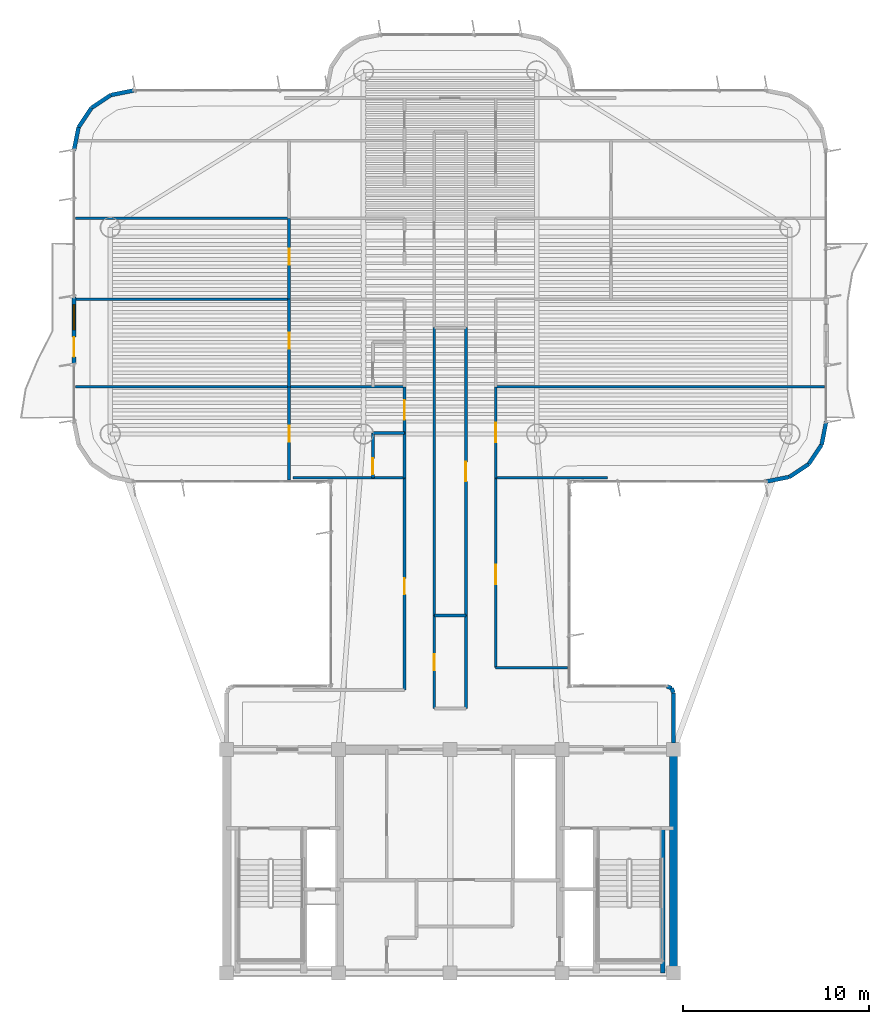
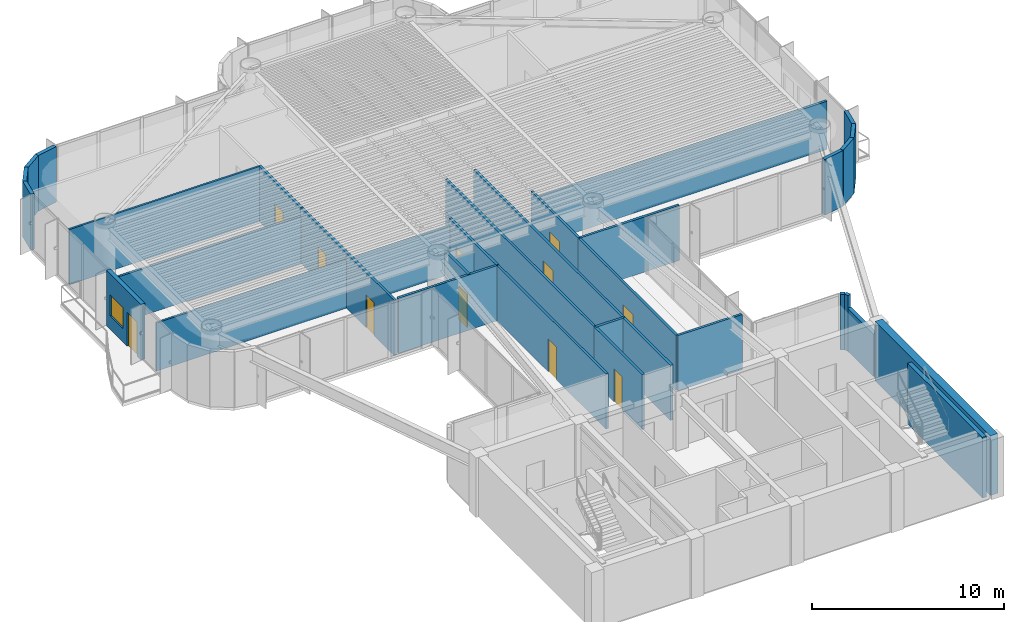
# One storey, part 10 of 14: 37 walls, 11 doors, 1 window, 12 openings.
"""IFC4 building model written with IfcOpenShell, lengths in metres."""

from ifc_helpers import new_model, si_unit, direction, frame, frame_2d, origin, origin_2d, place, context, subcontext, project, spatial, rectangle, extrude, source, transform, mapped, material, layer, layer_set, type_object, element, fill, save


model = new_model("IFC4")

# Units and contexts
model_context = context("Model", 3, precision=1e-05, world=origin(), true_north=direction((0.0, 1.0)))
body_context = subcontext(model_context, "Body", "Model", "MODEL_VIEW")
ifc_project = project(units=[si_unit("LENGTHUNIT", "METRE"), si_unit("AREAUNIT", "SQUARE_METRE"), si_unit("VOLUMEUNIT", "CUBIC_METRE"), si_unit("PLANEANGLEUNIT", "RADIAN"), si_unit("MASSUNIT", "GRAM", prefix="KILO")], contexts=[model_context])

# Site, building, storey
site_placement = place(None, origin())
site = spatial("IfcSite", under=ifc_project, at=site_placement, CompositionType="ELEMENT")
building_placement = place(site_placement, origin())
building = spatial("IfcBuilding", under=site, at=building_placement, Name="Brelvock Crest Care Tower", CompositionType="ELEMENT")
storey_placement = place(building_placement, frame((0.0, 0.0, 201.780029296875)))
storey = spatial("IfcBuildingStorey", under=building, at=storey_placement, Name="L51", CompositionType="ELEMENT", Elevation=201.780029296875)

# Walls
ifc_material_1 = material(Name="Concrete S65 (65 MPa)", Category="concrete")
ifc_layer_1 = layer(ifc_material_1, 0.449951171875, Name="WL-CS3")
ifc_layer_set_1 = layer_set([ifc_layer_1], Name="Concrete S65 (65 MPa)")
wall_type_1 = type_object("IfcWallType", Name="WL-CS3", PredefinedType="SHEAR", material=ifc_layer_set_1)
wall_1_placement = place(storey_placement, frame((48.0, 18.0, 0.0), z_axis=(0.0, 0.0, 1.0), x_axis=(0.0, -1.0, 0.0)))
element("IfcWall", 1, at=wall_1_placement, inside=storey, type_object=wall_type_1, Name="L51 Core East Shear Wall", PredefinedType="SHEAR", context=body_context, shape_type="SweptSolid", body=[
    extrude(rectangle(XDim=12.0, YDim=0.449951171875, at=frame_2d((6.0, 0.0))), origin(), (0.0, 0.0, 1.0), 3.780029296875),
])
ifc_material_2 = material(Name="Concrete S80 (80 MPa)", Category="concrete")
ifc_layer_2 = layer(ifc_material_2, 0.25, Name="WL-CS6")
ifc_layer_set_2 = layer_set([ifc_layer_2], Name="Concrete S80 (80 MPa)")
wall_type_2 = type_object("IfcWallType", Name="WL-CS6", PredefinedType="SHEAR", material=ifc_layer_set_2)
wall_2_placement = place(storey_placement, frame((47.419921875, 6.0, 0.0), z_axis=(0.0, 0.0, 1.0), x_axis=(0.0, 1.0, 0.0)))
element("IfcWall", 2, at=wall_2_placement, inside=storey, type_object=wall_type_2, Name="L51 Core Stair ST-2 East Shear Wall", PredefinedType="SHEAR", context=body_context, shape_type="SweptSolid", body=[
    extrude(rectangle(XDim=7.780029296875, YDim=0.25, at=frame_2d((3.89013671875, 0.0))), origin(), (0.0, 0.0, 1.0), 3.849853515625),
])

# Wall, openings, door, window
ifc_material_3 = material(Name="Precast concrete N40 (40 MPa)", Category="concrete")
ifc_layer_3 = layer(ifc_material_3, 0.239990234375, Name="WL-EX1")
ifc_layer_set_3 = layer_set([ifc_layer_3], Name="Precast concrete N40 (40 MPa)")
wall_type_3 = type_object("IfcWallType", Name="WL-EX1", PredefinedType="SOLIDWALL", material=ifc_layer_set_3)
wall_3_placement = place(storey_placement, frame((15.800048828125, 38.699951171875, 0.0), z_axis=(0.0, 0.0, 1.0), x_axis=(0.0, 1.0, 0.0)))
wall_3 = element("IfcWall", 3, at=wall_3_placement, inside=storey, type_object=wall_type_3, Name="L51 Exterior Spandrel Wall WL-BAL-L51-W", PredefinedType="SOLIDWALL", context=body_context, shape_type="SweptSolid", body=[
    extrude(rectangle(XDim=3.60009765625, YDim=0.239990234375, at=frame_2d((1.800048828125, 0.0))), origin(), (0.0, 0.0, 1.0), 3.530029296875),
])
opening_1_placement = place(wall_3_placement, frame((0.39990234375, 0.0, 0.0)))
opening_1 = element("IfcOpeningElement", 4, at=opening_1_placement, cuts=wall_3, Name="Opening BD-1", PredefinedType="OPENING", context=body_context, shape_type="SweptSolid", body=[
    extrude(rectangle(XDim=1.050048828125, YDim=2.14990234375, at=origin_2d()), frame((0.52490234375, 0.1298828125, 1.074951171875), z_axis=(0.0, -1.0, 0.0), x_axis=(1.0, 0.0, 0.0)), (0.0, 0.0, 1.0), 0.260009765625),
])
opening_2_placement = place(wall_3_placement, frame((1.85009765625, 0.0, 0.85009765625)))
opening_2 = element("IfcOpeningElement", 5, at=opening_2_placement, cuts=wall_3, Name="Opening W-01", PredefinedType="OPENING", context=body_context, shape_type="SweptSolid", body=[
    extrude(rectangle(XDim=1.35009765625, YDim=1.35009765625, at=origin_2d()), frame((0.675048828125, 0.1298828125, 0.675048828125), z_axis=(0.0, -1.0, 0.0), x_axis=(1.0, 0.0, 0.0)), (0.0, 0.0, 1.0), 0.260009765625),
])
ifc_material_4 = material(Name="Dark Glass Double Glazed Low-E", Category="glass")
door_type_1 = type_object("IfcDoorType", Name="DR-BAL1", OperationType="NOTDEFINED", PredefinedType="DOOR", material=ifc_material_4)
shared_shape_1 = source(origin(), body_context, "Body", "SweptSolid", [
    extrude(rectangle(XDim=1.050048828125, YDim=2.14990234375, at=origin_2d()), frame((0.52490234375, 0.02490234375, 1.074951171875), z_axis=(0.0, -1.0, 0.0), x_axis=(1.0, 0.0, 0.0)), (0.0, 0.0, 1.0), 0.050048828125),
])
door_1_placement = place(opening_1_placement, origin())
door_1 = element("IfcDoor", 6, at=door_1_placement, inside=storey, type_object=door_type_1, Name="L51 W Wave Balcony Glazed Door", OperationType="SINGLE_SWING_LEFT", OverallHeight=2.14990234375, OverallWidth=1.050048828125, PredefinedType="DOOR", context=body_context, shape_type="MappedRepresentation", body=[
    mapped(shared_shape_1, transform((0.0, 0.0, 0.0), x_axis=(1.0, 0.0, 0.0), y_axis=(0.0, 1.0, 0.0), z_axis=(0.0, 0.0, 1.0), scale=1.0)),
])
fill(opening_1, door_1)
window_type = type_object("IfcWindowType", Name="WN-EX1", PartitioningType="SINGLE_PANEL", PredefinedType="WINDOW", material=ifc_material_4)
shared_shape_2 = source(origin(), body_context, "Body", "SweptSolid", [
    extrude(rectangle(XDim=1.35009765625, YDim=1.35009765625, at=origin_2d()), frame((0.675048828125, 0.030029296875, 0.675048828125), z_axis=(0.0, -1.0, 0.0), x_axis=(1.0, 0.0, 0.0)), (0.0, 0.0, 1.0), 0.06005859375),
])
window_placement = place(opening_2_placement, origin())
window = element("IfcWindow", 7, at=window_placement, inside=storey, type_object=window_type, Name="L51 W Suite Casement Window", OverallHeight=1.35009765625, OverallWidth=1.35009765625, PartitioningType="SINGLE_PANEL", PredefinedType="WINDOW", context=body_context, shape_type="MappedRepresentation", body=[
    mapped(shared_shape_2, transform((0.0, 0.0, 0.0), x_axis=(1.0, 0.0, 0.0), y_axis=(0.0, 1.0, 0.0), z_axis=(0.0, 0.0, 1.0), scale=1.0)),
])
fill(opening_2, window)

# Walls
ifc_layer_4 = layer(ifc_material_3, 0.215087890625, Name="WL-EX2")
ifc_layer_set_4 = layer_set([ifc_layer_4], Name="Precast concrete N40 (40 MPa)")
wall_type_4 = type_object("IfcWallType", Name="WL-EX2", PredefinedType="SOLIDWALL", material=ifc_layer_set_4)
wall_4_placement = place(storey_placement, frame((47.8974609375, 21.297607421875, 0.0), z_axis=(0.0, 0.0, 1.0), x_axis=(0.382673670509, -0.923883575944, 0.0)))
element("IfcWall", 8, at=wall_4_placement, inside=storey, type_object=wall_type_4, Name="L51 Rounded Corner Wall 00", PredefinedType="SOLIDWALL", context=body_context, shape_type="SweptSolid", body=[
    extrude(rectangle(XDim=0.26806640625, YDim=0.215087890625, at=frame_2d((0.134033203125, 0.0))), origin(), (0.0, 0.0, 1.0), 3.530029296875),
])
wall_5_placement = place(storey_placement, frame((48.0, 21.050048828125, 0.0), z_axis=(0.0, 0.0, 1.0), x_axis=(0.0, -1.0, 0.0)))
element("IfcWall", 9, at=wall_5_placement, inside=storey, type_object=wall_type_4, Name="L51 Rounded Corner Wall 01", PredefinedType="SOLIDWALL", context=body_context, shape_type="SweptSolid", body=[
    extrude(rectangle(XDim=2.695068359375, YDim=0.215087890625, at=frame_2d((1.34765625, 0.0))), origin(), (0.0, 0.0, 1.0), 2.718017578125),
])
for number, where, z_axis, x_axis, name in (
    (10, (15.800048828125, 50.199951171875, 0.0), (0.0, 0.0, 1.0), (0.195138390419, 0.980775717779, 0.0), "L51 Rounded Corner Wall 18"),
    (11, (16.043701171875, 51.424560546875, 0.0), (0.0, 0.0, 1.0), (0.555557312883, 0.831478245117, 0.0), "L51 Rounded Corner Wall 19"),
    (12, (16.7373046875, 52.462646484375, 0.0), (0.0, 0.0, 1.0), (0.831387912822, 0.555692485475, 0.0), "L51 Rounded Corner Wall 20"),
    (13, (17.775390625, 53.156494140625, 0.0), (0.0, 0.0, 1.0), (0.980813122964, 0.194950295773, 0.0), "L51 Rounded Corner Wall 21"),
    (14, (56.199951171875, 35.60009765625, 0.0), (0.0, 0.0, 1.0), (-0.195138390419, -0.980775717779, 0.0), "L51 Rounded Corner Wall 40"),
    (15, (55.956298828125, 34.37548828125, 0.0), (0.0, 0.0, 1.0), (-0.555557312883, -0.831478245117, 0.0), "L51 Rounded Corner Wall 41"),
    (16, (55.2626953125, 33.33740234375, 0.0), (0.0, 0.0, 1.0), (-0.831387912822, -0.555692485475, 0.0), "L51 Rounded Corner Wall 42"),
    (17, (54.224609375, 32.6435546875, 0.0), (0.0, 0.0, 1.0), (-0.980775717779, -0.195138390419, 0.0), "L51 Rounded Corner Wall 43"),
):
    element("IfcWall", number, at=place(storey_placement, frame(where, z_axis=z_axis, x_axis=x_axis)), inside=storey, type_object=wall_type_4, Name=name, PredefinedType="SOLIDWALL", context=body_context, shape_type="SweptSolid", body=[
        extrude(rectangle(XDim=1.24853515625, YDim=0.215087890625, at=frame_2d((0.624267578125, 0.0))), origin(), (0.0, 0.0, 1.0), 3.530029296875),
    ])
wall_6_placement = place(storey_placement, frame((47.64990234375, 21.39990234375, 0.0), z_axis=(0.0, 0.0, 1.0), x_axis=(0.924205486139, -0.381895560841, 0.0)))
element("IfcWall", 18, at=wall_6_placement, inside=storey, type_object=wall_type_4, Name="L51 Rounded Corner Wall 47", PredefinedType="SOLIDWALL", context=body_context, shape_type="SweptSolid", body=[
    extrude(rectangle(XDim=0.267822265625, YDim=0.215087890625, at=frame_2d((0.1337890625, 0.0))), origin(), (0.0, 0.0, 1.0), 3.530029296875),
])
ifc_material_5 = material(Name="Masonry Blockwork Acoustic Partition", Category="masonry")
ifc_layer_5 = layer(ifc_material_5, 0.14990234375, Name="WL-INT1")
ifc_layer_set_5 = layer_set([ifc_layer_5], Name="Masonry Blockwork Acoustic Partition")
wall_type_5 = type_object("IfcWallType", Name="WL-INT1", PredefinedType="PARTITIONING", material=ifc_layer_set_5)
wall_7_placement = place(storey_placement, frame((38.449951171875, 22.39990234375, 0.0), z_axis=(0.0, 0.0, 1.0), x_axis=(1.0, 0.0, 0.0)))
element("IfcWall", 19, at=wall_7_placement, inside=storey, type_object=wall_type_5, Name="L51 Interior Wall WL-BX-L51-THRE-S", PredefinedType="PARTITIONING", context=body_context, shape_type="SweptSolid", body=[
    extrude(rectangle(XDim=3.8701171875, YDim=0.14990234375, at=frame_2d((1.93505859375, 0.0))), origin(), (0.0, 0.0, 1.0), 3.5),
])
wall_8_placement = place(storey_placement, frame((27.55712890625, 32.60009765625, 0.0), z_axis=(0.0, 0.0, 1.0), x_axis=(1.0, 0.0, 0.0)))
element("IfcWall", 20, at=wall_8_placement, inside=storey, type_object=wall_type_5, Name="L51 Interior Wall WL-BX-L51-CS-WS1-S", PredefinedType="PARTITIONING", context=body_context, shape_type="SweptSolid", body=[
    extrude(rectangle(XDim=5.992919921875, YDim=0.14990234375, at=frame_2d((2.99658203125, 0.0))), origin(), (0.0, 0.0, 1.0), 3.5),
])
wall_9_placement = place(storey_placement, frame((38.449951171875, 32.60009765625, 0.0), z_axis=(0.0, 0.0, 1.0), x_axis=(1.0, 0.0, 0.0)))
element("IfcWall", 21, at=wall_9_placement, inside=storey, type_object=wall_type_5, Name="L51 Interior Wall WL-BX-L51-ESW1-S", PredefinedType="PARTITIONING", context=body_context, shape_type="SweptSolid", body=[
    extrude(rectangle(XDim=5.993408203125, YDim=0.14990234375, at=frame_2d((2.99658203125, 0.0))), origin(), (0.0, 0.0, 1.0), 3.5),
])
wall_10_placement = place(storey_placement, frame((27.35009765625, 37.487060546875, 0.0), z_axis=(0.0, 0.0, 1.0), x_axis=(1.0, 0.0, 0.0)))
element("IfcWall", 22, at=wall_10_placement, inside=storey, type_object=wall_type_5, Name="L51 Interior Wall WL-BX-L51-CS-WS1-N", PredefinedType="PARTITIONING", context=body_context, shape_type="SweptSolid", body=[
    extrude(rectangle(XDim=6.199951171875, YDim=0.14990234375, at=frame_2d((3.10009765625, 0.0))), origin(), (0.0, 0.0, 1.0), 3.054931640625),
])
wall_11_placement = place(storey_placement, frame((38.449951171875, 37.487060546875, 0.0), z_axis=(0.0, 0.0, 1.0), x_axis=(1.0, 0.0, 0.0)))
element("IfcWall", 23, at=wall_11_placement, inside=storey, type_object=wall_type_5, Name="L51 Interior Wall WL-BX-L51-ESW1-N", PredefinedType="PARTITIONING", context=body_context, shape_type="SweptSolid", body=[
    extrude(rectangle(XDim=17.670166015625, YDim=0.14990234375, at=frame_2d((8.8349609375, 0.0))), origin(), (0.0, 0.0, 1.0), 3.054931640625),
])

# Wall, opening, door
wall_12_placement = place(storey_placement, frame((27.35009765625, 32.47998046875, 0.0), z_axis=(0.0, 0.0, 1.0), x_axis=(0.0, 1.0, 0.0)))
wall_12 = element("IfcWall", 24, at=wall_12_placement, inside=storey, type_object=wall_type_5, Name="L51 Interior Wall WL-RM-L51-WS1S", PredefinedType="PARTITIONING", context=body_context, shape_type="SweptSolid", body=[
    extrude(rectangle(XDim=5.007080078125, YDim=0.14990234375, at=frame_2d((2.50341796875, 0.0))), origin(), (0.0, 0.0, 1.0), 3.5),
])
opening_3_placement = place(wall_12_placement, frame((2.06005859375, 0.0, 0.0)))
opening_3 = element("IfcOpeningElement", 25, at=opening_3_placement, cuts=wall_12, Name="Opening ID-1", PredefinedType="OPENING", context=body_context, shape_type="SweptSolid", body=[
    extrude(rectangle(XDim=0.860107421875, YDim=2.10009765625, at=origin_2d()), frame((0.43017578125, 0.0849609375, 1.050048828125), z_axis=(0.0, -1.0, 0.0), x_axis=(1.0, 0.0, 0.0)), (0.0, 0.0, 1.0), 0.169921875),
])
ifc_material_6 = material(Name="Engineered Hardwood Timber", Category="wood")
door_type_2 = type_object("IfcDoorType", Name="DR-INT1", OperationType="NOTDEFINED", PredefinedType="DOOR", material=ifc_material_6)
shared_shape_3 = source(origin(), body_context, "Body", "SweptSolid", [
    extrude(rectangle(XDim=0.860107421875, YDim=2.10009765625, at=origin_2d()), frame((0.43017578125, 0.02490234375, 1.050048828125), z_axis=(0.0, -1.0, 0.0), x_axis=(1.0, 0.0, 0.0)), (0.0, 0.0, 1.0), 0.050048828125),
])
door_2_placement = place(opening_3_placement, origin())
door_2 = element("IfcDoor", 26, at=door_2_placement, inside=storey, type_object=door_type_2, Name="L51 Skilled Nursing Mobility Store Door WS1S", OperationType="SINGLE_SWING_LEFT", OverallHeight=2.10009765625, OverallWidth=0.860107421875, PredefinedType="DOOR", context=body_context, shape_type="MappedRepresentation", body=[
    mapped(shared_shape_3, transform((0.0, 0.0, 0.0), x_axis=(1.0, 0.0, 0.0), y_axis=(0.0, 1.0, 0.0), z_axis=(0.0, 0.0, 1.0), scale=1.0)),
])
fill(opening_3, door_2)

wall_13_placement = place(storey_placement, frame((27.35009765625, 37.487060546875, 0.0), z_axis=(0.0, 0.0, 1.0), x_axis=(0.0, 1.0, 0.0)))
wall_13 = element("IfcWall", 27, at=wall_13_placement, inside=storey, type_object=wall_type_5, Name="L51 Interior Wall WL-RM-L51-WS2S", PredefinedType="PARTITIONING", context=body_context, shape_type="SweptSolid", body=[
    extrude(rectangle(XDim=4.7060546875, YDim=0.14990234375, at=frame_2d((2.35302734375, 0.0))), origin(), (0.0, 0.0, 1.0), 3.5),
])
opening_4_placement = place(wall_13_placement, frame((2.052978515625, 0.0, 0.0)))
opening_4 = element("IfcOpeningElement", 28, at=opening_4_placement, cuts=wall_13, Name="Opening ID-1", PredefinedType="OPENING", context=body_context, shape_type="SweptSolid", body=[
    extrude(rectangle(XDim=0.860107421875, YDim=2.10009765625, at=origin_2d()), frame((0.43017578125, 0.0849609375, 1.050048828125), z_axis=(0.0, -1.0, 0.0), x_axis=(1.0, 0.0, 0.0)), (0.0, 0.0, 1.0), 0.169921875),
])
door_3_placement = place(opening_4_placement, origin())
door_3 = element("IfcDoor", 29, at=door_3_placement, inside=storey, type_object=door_type_2, Name="L51 Skilled Nursing Mobility Store Door WS2S", OperationType="SINGLE_SWING_LEFT", OverallHeight=2.10009765625, OverallWidth=0.860107421875, PredefinedType="DOOR", context=body_context, shape_type="MappedRepresentation", body=[
    mapped(shared_shape_3, transform((0.0, 0.0, 0.0), x_axis=(1.0, 0.0, 0.0), y_axis=(0.0, 1.0, 0.0), z_axis=(0.0, 0.0, 1.0), scale=1.0)),
])
fill(opening_4, door_3)

wall_14_placement = place(storey_placement, frame((27.35009765625, 42.193115234375, 0.0), z_axis=(0.0, 0.0, 1.0), x_axis=(0.0, 1.0, 0.0)))
wall_14 = element("IfcWall", 30, at=wall_14_placement, inside=storey, type_object=wall_type_5, Name="L51 Interior Wall WL-RM-L51-WS3S", PredefinedType="PARTITIONING", context=body_context, shape_type="SweptSolid", body=[
    extrude(rectangle(XDim=4.343994140625, YDim=0.14990234375, at=frame_2d((2.171875, 0.0))), origin(), (0.0, 0.0, 1.0), 3.5),
])
opening_5_placement = place(wall_14_placement, frame((1.846923828125, 0.0, 0.0)))
opening_5 = element("IfcOpeningElement", 31, at=opening_5_placement, cuts=wall_14, Name="Opening ID-1", PredefinedType="OPENING", context=body_context, shape_type="SweptSolid", body=[
    extrude(rectangle(XDim=0.860107421875, YDim=2.10009765625, at=origin_2d()), frame((0.43017578125, 0.0849609375, 1.050048828125), z_axis=(0.0, -1.0, 0.0), x_axis=(1.0, 0.0, 0.0)), (0.0, 0.0, 1.0), 0.169921875),
])
door_4_placement = place(opening_5_placement, origin())
door_4 = element("IfcDoor", 32, at=door_4_placement, inside=storey, type_object=door_type_2, Name="L51 Skilled Nursing Mobility Store Door WS3S", OperationType="SINGLE_SWING_LEFT", OverallHeight=2.10009765625, OverallWidth=0.860107421875, PredefinedType="DOOR", context=body_context, shape_type="MappedRepresentation", body=[
    mapped(shared_shape_3, transform((0.0, 0.0, 0.0), x_axis=(1.0, 0.0, 0.0), y_axis=(0.0, 1.0, 0.0), z_axis=(0.0, 0.0, 1.0), scale=1.0)),
])
fill(opening_5, door_4)

wall_15_placement = place(storey_placement, frame((33.550048828125, 21.199951171875, 0.0), z_axis=(0.0, 0.0, 1.0), x_axis=(0.0, 1.0, 0.0)))
wall_15 = element("IfcWall", 33, at=wall_15_placement, inside=storey, type_object=wall_type_5, Name="L51 Interior Wall WL-RM-L51-THRW", PredefinedType="PARTITIONING", context=body_context, shape_type="SweptSolid", body=[
    extrude(rectangle(XDim=11.400146484375, YDim=0.14990234375, at=frame_2d((5.7001953125, 0.0))), origin(), (0.0, 0.0, 1.0), 3.5),
])
opening_6_placement = place(wall_15_placement, frame((5.139892578125, 0.0, 0.0)))
opening_6 = element("IfcOpeningElement", 34, at=opening_6_placement, cuts=wall_15, Name="Opening ID-1", PredefinedType="OPENING", context=body_context, shape_type="SweptSolid", body=[
    extrude(rectangle(XDim=0.860107421875, YDim=2.10009765625, at=origin_2d()), frame((0.43017578125, 0.0849609375, 1.050048828125), z_axis=(0.0, -1.0, 0.0), x_axis=(1.0, 0.0, 0.0)), (0.0, 0.0, 1.0), 0.169921875),
])
door_5_placement = place(opening_6_placement, origin())
door_5 = element("IfcDoor", 35, at=door_5_placement, inside=storey, type_object=door_type_2, Name="L51 Quiet Family Consultation Room Door THRW", OperationType="SINGLE_SWING_LEFT", OverallHeight=2.10009765625, OverallWidth=0.860107421875, PredefinedType="DOOR", context=body_context, shape_type="MappedRepresentation", body=[
    mapped(shared_shape_3, transform((0.0, 0.0, 0.0), x_axis=(1.0, 0.0, 0.0), y_axis=(0.0, 1.0, 0.0), z_axis=(0.0, 0.0, 1.0), scale=1.0)),
])
fill(opening_6, door_5)

wall_16_placement = place(storey_placement, frame((33.550048828125, 35.0, 0.0), z_axis=(0.0, 0.0, 1.0), x_axis=(0.0, 1.0, 0.0)))
wall_16 = element("IfcWall", 36, at=wall_16_placement, inside=storey, type_object=wall_type_5, Name="L51 Interior Wall WL-CENT-L51-WS1", PredefinedType="PARTITIONING", context=body_context, shape_type="SweptSolid", body=[
    extrude(rectangle(XDim=2.487060546875, YDim=0.14990234375, at=frame_2d((1.24365234375, 0.0))), origin(), (0.0, 0.0, 1.0), 3.5),
])
opening_7_placement = place(wall_16_placement, frame((0.72412109375, 0.0, 0.0)))
opening_7 = element("IfcOpeningElement", 37, at=opening_7_placement, cuts=wall_16, Name="Opening CD-1", PredefinedType="OPENING", context=body_context, shape_type="SweptSolid", body=[
    extrude(rectangle(XDim=1.050048828125, YDim=2.10009765625, at=origin_2d()), frame((0.52490234375, 0.0849609375, 1.050048828125), z_axis=(0.0, -1.0, 0.0), x_axis=(1.0, 0.0, 0.0)), (0.0, 0.0, 1.0), 0.169921875),
])
door_type_3 = type_object("IfcDoorType", Name="DR-CARE1", OperationType="NOTDEFINED", PredefinedType="DOOR", material=ifc_material_6)
shared_shape_4 = source(origin(), body_context, "Body", "SweptSolid", [
    extrude(rectangle(XDim=1.050048828125, YDim=2.10009765625, at=origin_2d()), frame((0.52490234375, 0.02490234375, 1.050048828125), z_axis=(0.0, -1.0, 0.0), x_axis=(1.0, 0.0, 0.0)), (0.0, 0.0, 1.0), 0.050048828125),
])
door_6_placement = place(opening_7_placement, origin())
door_6 = element("IfcDoor", 38, at=door_6_placement, inside=storey, type_object=door_type_3, Name="L51 Care Suite Door WS1", OperationType="SINGLE_SWING_LEFT", OverallHeight=2.10009765625, OverallWidth=1.050048828125, PredefinedType="DOOR", context=body_context, shape_type="MappedRepresentation", body=[
    mapped(shared_shape_4, transform((0.0, 0.0, 0.0), x_axis=(1.0, 0.0, 0.0), y_axis=(0.0, 1.0, 0.0), z_axis=(0.0, 0.0, 1.0), scale=1.0)),
])
fill(opening_7, door_6)

# Wall
wall_17_placement = place(storey_placement, frame((35.14990234375, 25.199951171875, 0.0), z_axis=(0.0, 0.0, 1.0), x_axis=(0.0, 1.0, 0.0)))
element("IfcWall", 39, at=wall_17_placement, inside=storey, type_object=wall_type_5, Name="L51 Interior Wall WL-BX-L51-ISNS-W", PredefinedType="PARTITIONING", context=body_context, shape_type="SweptSolid", body=[
    extrude(rectangle(XDim=15.4599609375, YDim=0.14990234375, at=frame_2d((7.72998046875, 0.0))), origin(), (0.0, 0.0, 1.0), 3.5),
])

# Wall, opening, door
wall_18_placement = place(storey_placement, frame((36.85009765625, 25.199951171875, 0.0), z_axis=(0.0, 0.0, 1.0), x_axis=(0.0, 1.0, 0.0)))
wall_18 = element("IfcWall", 40, at=wall_18_placement, inside=storey, type_object=wall_type_5, Name="L51 Interior Wall WL-RM-L51-ISNS", PredefinedType="PARTITIONING", context=body_context, shape_type="SweptSolid", body=[
    extrude(rectangle(XDim=15.4599609375, YDim=0.14990234375, at=frame_2d((7.72998046875, 0.0))), origin(), (0.0, 0.0, 1.0), 3.5),
])
opening_8_placement = place(wall_18_placement, frame((7.205078125, 0.0, 0.0)))
opening_8 = element("IfcOpeningElement", 41, at=opening_8_placement, cuts=wall_18, Name="Opening CLD-1", PredefinedType="OPENING", context=body_context, shape_type="SweptSolid", body=[
    extrude(rectangle(XDim=1.050048828125, YDim=2.10009765625, at=origin_2d()), frame((0.52490234375, 0.0849609375, 1.050048828125), z_axis=(0.0, -1.0, 0.0), x_axis=(1.0, 0.0, 0.0)), (0.0, 0.0, 1.0), 0.169921875),
])
door_type_4 = type_object("IfcDoorType", Name="DR-CLN1", OperationType="NOTDEFINED", PredefinedType="DOOR", material=ifc_material_6)
shared_shape_5 = source(origin(), body_context, "Body", "SweptSolid", [
    extrude(rectangle(XDim=1.050048828125, YDim=2.10009765625, at=origin_2d()), frame((0.52490234375, 0.02490234375, 1.050048828125), z_axis=(0.0, -1.0, 0.0), x_axis=(1.0, 0.0, 0.0)), (0.0, 0.0, 1.0), 0.050048828125),
])
door_7_placement = place(opening_8_placement, origin())
door_7 = element("IfcDoor", 42, at=door_7_placement, inside=storey, type_object=door_type_4, Name="L51 Care Concierge and Triage Station Door ISNS", OperationType="SINGLE_SWING_LEFT", OverallHeight=2.10009765625, OverallWidth=1.050048828125, PredefinedType="DOOR", context=body_context, shape_type="MappedRepresentation", body=[
    mapped(shared_shape_5, transform((0.0, 0.0, 0.0), x_axis=(1.0, 0.0, 0.0), y_axis=(0.0, 1.0, 0.0), z_axis=(0.0, 0.0, 1.0), scale=1.0)),
])
fill(opening_8, door_7)

wall_19_placement = place(storey_placement, frame((38.449951171875, 22.39990234375, 0.0), z_axis=(0.0, 0.0, 1.0), x_axis=(0.0, 1.0, 0.0)))
wall_19 = element("IfcWall", 43, at=wall_19_placement, inside=storey, type_object=wall_type_5, Name="L51 Interior Wall WL-RM-L51-THRE", PredefinedType="PARTITIONING", context=body_context, shape_type="SweptSolid", body=[
    extrude(rectangle(XDim=10.2001953125, YDim=0.14990234375, at=frame_2d((5.10009765625, 0.0))), origin(), (0.0, 0.0, 1.0), 3.5),
])
opening_9_placement = place(wall_19_placement, frame((4.47509765625, 0.0, 0.0)))
opening_9 = element("IfcOpeningElement", 44, at=opening_9_placement, cuts=wall_19, Name="Opening CLD-1", PredefinedType="OPENING", context=body_context, shape_type="SweptSolid", body=[
    extrude(rectangle(XDim=1.050048828125, YDim=2.10009765625, at=origin_2d()), frame((0.52490234375, 0.0849609375, 1.050048828125), z_axis=(0.0, -1.0, 0.0), x_axis=(1.0, 0.0, 0.0)), (0.0, 0.0, 1.0), 0.169921875),
])
door_8_placement = place(opening_9_placement, origin())
door_8 = element("IfcDoor", 45, at=door_8_placement, inside=storey, type_object=door_type_4, Name="L51 Allied Health Therapy Room Door THRE", OperationType="SINGLE_SWING_LEFT", OverallHeight=2.10009765625, OverallWidth=1.050048828125, PredefinedType="DOOR", context=body_context, shape_type="MappedRepresentation", body=[
    mapped(shared_shape_5, transform((0.0, 0.0, 0.0), x_axis=(1.0, 0.0, 0.0), y_axis=(0.0, 1.0, 0.0), z_axis=(0.0, 0.0, 1.0), scale=1.0)),
])
fill(opening_9, door_8)

wall_20_placement = place(storey_placement, frame((38.449951171875, 32.60009765625, 0.0), z_axis=(0.0, 0.0, 1.0), x_axis=(0.0, 1.0, 0.0)))
wall_20 = element("IfcWall", 46, at=wall_20_placement, inside=storey, type_object=wall_type_5, Name="L51 Interior Wall WL-RM-L51-ESW1", PredefinedType="PARTITIONING", context=body_context, shape_type="SweptSolid", body=[
    extrude(rectangle(XDim=4.886962890625, YDim=0.14990234375, at=frame_2d((2.443359375, 0.0))), origin(), (0.0, 0.0, 1.0), 3.5),
])
opening_10_placement = place(wall_20_placement, frame((1.9189453125, 0.0, 0.0)))
opening_10 = element("IfcOpeningElement", 47, at=opening_10_placement, cuts=wall_20, Name="Opening CD-1", PredefinedType="OPENING", context=body_context, shape_type="SweptSolid", body=[
    extrude(rectangle(XDim=1.050048828125, YDim=2.10009765625, at=origin_2d()), frame((0.52490234375, 0.0849609375, 1.050048828125), z_axis=(0.0, -1.0, 0.0), x_axis=(1.0, 0.0, 0.0)), (0.0, 0.0, 1.0), 0.169921875),
])
door_9_placement = place(opening_10_placement, origin())
door_9 = element("IfcDoor", 48, at=door_9_placement, inside=storey, type_object=door_type_3, Name="L51 Skilled Nursing Telemetry Ward Door ESW1", OperationType="SINGLE_SWING_LEFT", OverallHeight=2.10009765625, OverallWidth=1.050048828125, PredefinedType="DOOR", context=body_context, shape_type="MappedRepresentation", body=[
    mapped(shared_shape_4, transform((0.0, 0.0, 0.0), x_axis=(1.0, 0.0, 0.0), y_axis=(0.0, 1.0, 0.0), z_axis=(0.0, 0.0, 1.0), scale=1.0)),
])
fill(opening_10, door_9)

# Walls
ifc_material_7 = material(Name="Gypsum Plasterboard Partition", Category="gypsum")
ifc_layer_6 = layer(ifc_material_7, 0.1201171875, Name="WL-INT2")
ifc_layer_set_6 = layer_set([ifc_layer_6], Name="Gypsum Plasterboard Partition")
wall_type_6 = type_object("IfcWallType", Name="WL-INT2", PredefinedType="PARTITIONING", material=ifc_layer_set_6)
wall_21_placement = place(storey_placement, frame((15.8798828125, 37.487060546875, 0.0), z_axis=(0.0, 0.0, 1.0), x_axis=(1.0, 0.0, 0.0)))
element("IfcWall", 49, at=wall_21_placement, inside=storey, type_object=wall_type_6, Name="L51 Interior Wall WL-BX-L51-WS1S-N", PredefinedType="PARTITIONING", context=body_context, shape_type="SweptSolid", body=[
    extrude(rectangle(XDim=11.47021484375, YDim=0.1201171875, at=frame_2d((5.735107421875, 0.0))), origin(), (0.0, 0.0, 1.0), 3.054931640625),
])
wall_22_placement = place(storey_placement, frame((15.8798828125, 42.193115234375, 0.0), z_axis=(0.0, 0.0, 1.0), x_axis=(1.0, 0.0, 0.0)))
element("IfcWall", 50, at=wall_22_placement, inside=storey, type_object=wall_type_6, Name="L51 Interior Wall WL-BX-L51-WS2S-N", PredefinedType="PARTITIONING", context=body_context, shape_type="SweptSolid", body=[
    extrude(rectangle(XDim=11.47021484375, YDim=0.1201171875, at=frame_2d((5.735107421875, 0.0))), origin(), (0.0, 0.0, 1.0), 2.98193359375),
])
wall_23_placement = place(storey_placement, frame((15.8798828125, 46.537109375, 0.0), z_axis=(0.0, 0.0, 1.0), x_axis=(1.0, 0.0, 0.0)))
element("IfcWall", 51, at=wall_23_placement, inside=storey, type_object=wall_type_6, Name="L51 Interior Wall WL-BX-L51-WS3S-N", PredefinedType="PARTITIONING", context=body_context, shape_type="SweptSolid", body=[
    extrude(rectangle(XDim=11.47021484375, YDim=0.1201171875, at=frame_2d((5.735107421875, 0.0))), origin(), (0.0, 0.0, 1.0), 3.5),
])
ifc_layer_7 = layer(ifc_material_7, 0.159912109375, Name="WL-PLM1")
ifc_layer_set_7 = layer_set([ifc_layer_7], Name="Gypsum Plasterboard Partition")
wall_type_7 = type_object("IfcWallType", Name="WL-PLM1", PredefinedType="PLUMBINGWALL", material=ifc_layer_set_7)
wall_24_placement = place(storey_placement, frame((35.14990234375, 25.199951171875, 0.0), z_axis=(0.0, 0.0, 1.0), x_axis=(1.0, 0.0, 0.0)))
element("IfcWall", 52, at=wall_24_placement, inside=storey, type_object=wall_type_7, Name="L51 Interior Wall WL-BX-L51-ISNS-S", PredefinedType="PLUMBINGWALL", context=body_context, shape_type="SweptSolid", body=[
    extrude(rectangle(XDim=1.7001953125, YDim=0.159912109375, at=frame_2d((0.85009765625, 0.0))), origin(), (0.0, 0.0, 1.0), 3.5),
])
wall_25_placement = place(storey_placement, frame((31.85009765625, 35.0, 0.0), z_axis=(0.0, 0.0, 1.0), x_axis=(1.0, 0.0, 0.0)))
element("IfcWall", 53, at=wall_25_placement, inside=storey, type_object=wall_type_7, Name="L51 Interior Wall WL-CENS2-L51-WS1", PredefinedType="PLUMBINGWALL", context=body_context, shape_type="SweptSolid", body=[
    extrude(rectangle(XDim=1.699951171875, YDim=0.159912109375, at=frame_2d((0.85009765625, 0.0))), origin(), (0.0, 0.0, 1.0), 2.903076171875),
])

# Wall, opening, door
wall_26_placement = place(storey_placement, frame((31.85009765625, 32.60009765625, 0.0), z_axis=(0.0, 0.0, 1.0), x_axis=(0.0, 1.0, 0.0)))
wall_26 = element("IfcWall", 54, at=wall_26_placement, inside=storey, type_object=wall_type_7, Name="L51 Interior Wall WL-CENS1-L51-WS1", PredefinedType="PLUMBINGWALL", context=body_context, shape_type="SweptSolid", body=[
    extrude(rectangle(XDim=2.39990234375, YDim=0.159912109375, at=frame_2d((1.199951171875, 0.0))), origin(), (0.0, 0.0, 1.0), 3.5),
])
opening_11_placement = place(wall_26_placement, frame((0.179931640625, 0.0, 0.0)))
opening_11 = element("IfcOpeningElement", 55, at=opening_11_placement, cuts=wall_26, Name="Opening WD-1", PredefinedType="OPENING", context=body_context, shape_type="SweptSolid", body=[
    extrude(rectangle(XDim=0.860107421875, YDim=2.10009765625, at=origin_2d()), frame((0.43017578125, 0.08984375, 1.050048828125), z_axis=(0.0, -1.0, 0.0), x_axis=(1.0, 0.0, 0.0)), (0.0, 0.0, 1.0), 0.179931640625),
])
door_type_5 = type_object("IfcDoorType", Name="DR-WC1", OperationType="NOTDEFINED", PredefinedType="DOOR", material=ifc_material_6)
shared_shape_6 = source(origin(), body_context, "Body", "SweptSolid", [
    extrude(rectangle(XDim=0.860107421875, YDim=2.10009765625, at=origin_2d()), frame((0.43017578125, 0.02490234375, 1.050048828125), z_axis=(0.0, -1.0, 0.0), x_axis=(1.0, 0.0, 0.0)), (0.0, 0.0, 1.0), 0.050048828125),
])
door_10_placement = place(opening_11_placement, origin())
door_10 = element("IfcDoor", 56, at=door_10_placement, inside=storey, type_object=door_type_5, Name="L51 Care En-Suite Door WS1", OperationType="SINGLE_SWING_LEFT", OverallHeight=2.10009765625, OverallWidth=0.860107421875, PredefinedType="DOOR", context=body_context, shape_type="MappedRepresentation", body=[
    mapped(shared_shape_6, transform((0.0, 0.0, 0.0), x_axis=(1.0, 0.0, 0.0), y_axis=(0.0, 1.0, 0.0), z_axis=(0.0, 0.0, 1.0), scale=1.0)),
])
fill(opening_11, door_10)

# Wall
wall_27_placement = place(storey_placement, frame((33.550048828125, 32.60009765625, 0.0), z_axis=(0.0, 0.0, 1.0), x_axis=(0.0, 1.0, 0.0)))
element("IfcWall", 57, at=wall_27_placement, inside=storey, type_object=wall_type_7, Name="L51 Interior Wall WL-CENS0-L51-WS1", PredefinedType="PLUMBINGWALL", context=body_context, shape_type="SweptSolid", body=[
    extrude(rectangle(XDim=2.39990234375, YDim=0.159912109375, at=frame_2d((1.199951171875, 0.0))), origin(), (0.0, 0.0, 1.0), 3.5),
])

# Wall, opening, door
wall_28_placement = place(storey_placement, frame((35.14990234375, 20.199951171875, 0.0), z_axis=(0.0, 0.0, 1.0), x_axis=(0.0, 1.0, 0.0)))
wall_28 = element("IfcWall", 58, at=wall_28_placement, inside=storey, type_object=wall_type_7, Name="L51 Interior Wall WL-RM-L51-ISWC", PredefinedType="PLUMBINGWALL", context=body_context, shape_type="SweptSolid", body=[
    extrude(rectangle(XDim=5.0, YDim=0.159912109375, at=frame_2d((2.5, 0.0))), origin(), (0.0, 0.0, 1.0), 3.5),
])
opening_12_placement = place(wall_28_placement, frame((2.070068359375, 0.0, 0.0)))
opening_12 = element("IfcOpeningElement", 59, at=opening_12_placement, cuts=wall_28, Name="Opening WD-1", PredefinedType="OPENING", context=body_context, shape_type="SweptSolid", body=[
    extrude(rectangle(XDim=0.860107421875, YDim=2.10009765625, at=origin_2d()), frame((0.43017578125, 0.08984375, 1.050048828125), z_axis=(0.0, -1.0, 0.0), x_axis=(1.0, 0.0, 0.0)), (0.0, 0.0, 1.0), 0.179931640625),
])
door_11_placement = place(opening_12_placement, origin())
door_11 = element("IfcDoor", 60, at=door_11_placement, inside=storey, type_object=door_type_5, Name="L51 High-Zone Accessible WC Door ISWC", OperationType="SINGLE_SWING_LEFT", OverallHeight=2.10009765625, OverallWidth=0.860107421875, PredefinedType="DOOR", context=body_context, shape_type="MappedRepresentation", body=[
    mapped(shared_shape_6, transform((0.0, 0.0, 0.0), x_axis=(1.0, 0.0, 0.0), y_axis=(0.0, 1.0, 0.0), z_axis=(0.0, 0.0, 1.0), scale=1.0)),
])
fill(opening_12, door_11)

# Wall
wall_29_placement = place(storey_placement, frame((36.85009765625, 20.199951171875, 0.0), z_axis=(0.0, 0.0, 1.0), x_axis=(0.0, 1.0, 0.0)))
element("IfcWall", 61, at=wall_29_placement, inside=storey, type_object=wall_type_7, Name="L51 Interior Wall WL-BX-L51-ISWC-E", PredefinedType="PLUMBINGWALL", context=body_context, shape_type="SweptSolid", body=[
    extrude(rectangle(XDim=5.0, YDim=0.159912109375, at=frame_2d((2.5, 0.0))), origin(), (0.0, 0.0, 1.0), 3.5),
])

save(model, "model.ifc")
